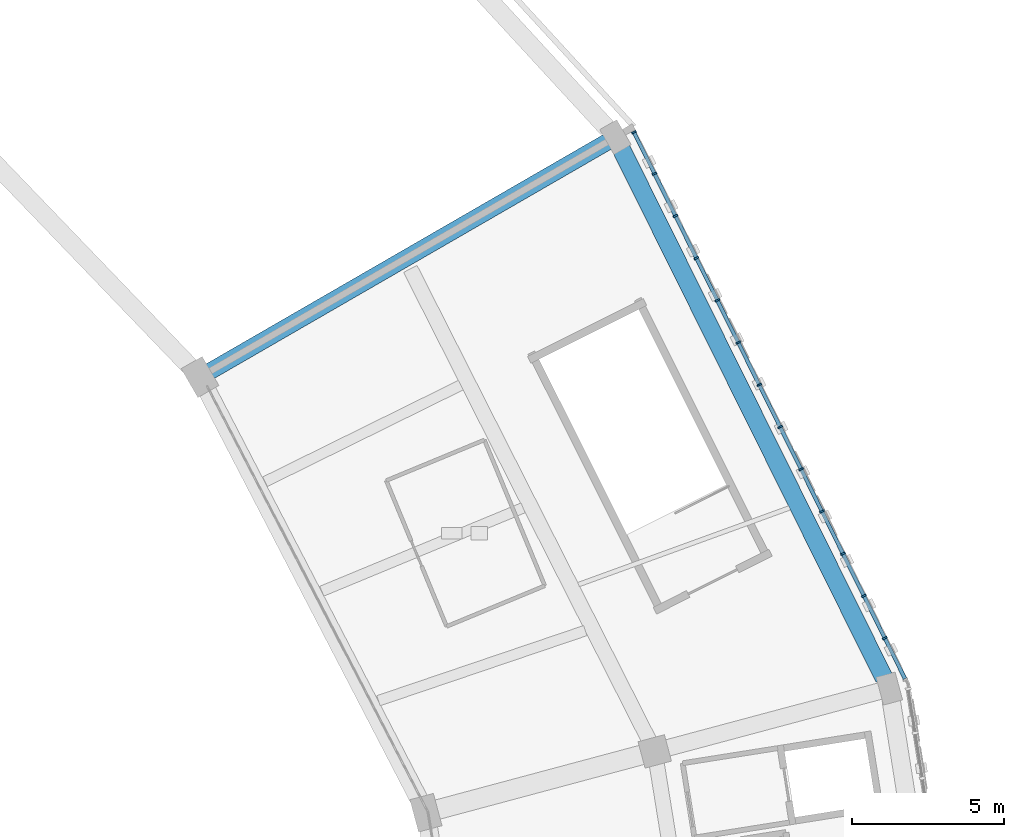
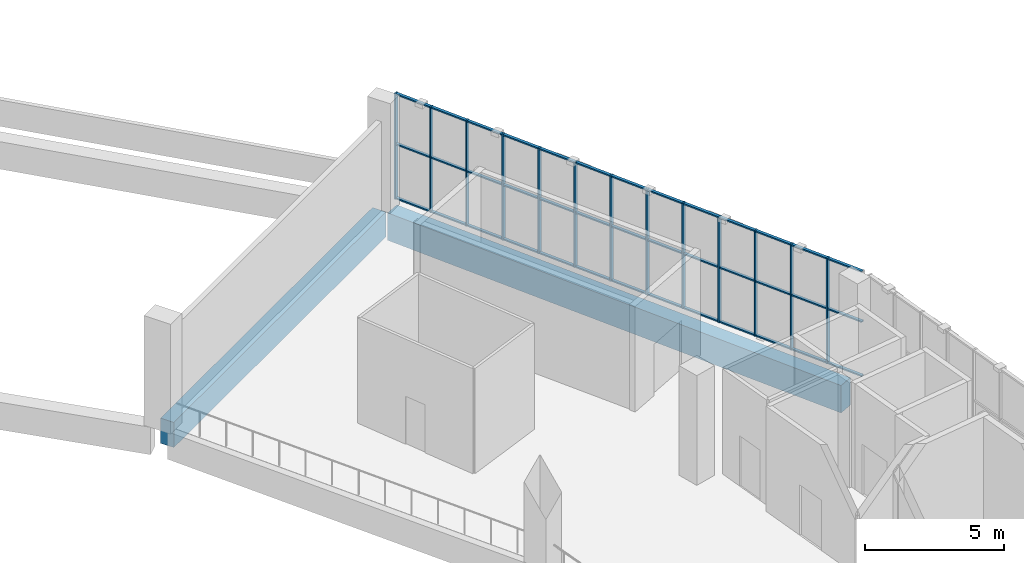
# One storey, part 23 of 64: 52 members, 2 beams, 1 element without a shape of its own.
"""IFC4 building model written with IfcOpenShell, lengths in metres."""

from ifc_helpers import new_model, si_unit, direction, frame, origin, origin_2d, place, context, subcontext, project, spatial, rectangle, extrude, material, material_profile, profile_set, type_object, element, aggregate, save


model = new_model("IFC4")

# Units and contexts
model_context = context("Model", 3, precision=1e-05, world=origin(), true_north=direction((0.0, 1.0)))
body_context = subcontext(model_context, "Body", "Model", "MODEL_VIEW")
ifc_project = project(units=[si_unit("LENGTHUNIT", "METRE"), si_unit("AREAUNIT", "SQUARE_METRE"), si_unit("VOLUMEUNIT", "CUBIC_METRE"), si_unit("PLANEANGLEUNIT", "RADIAN"), si_unit("MASSUNIT", "GRAM", prefix="KILO")], contexts=[model_context])

# Site, building, storey
site_placement = place(None, origin())
site = spatial("IfcSite", under=ifc_project, at=site_placement, CompositionType="ELEMENT")
building_placement = place(site_placement, origin())
building = spatial("IfcBuilding", under=site, at=building_placement, Name="Zevraka Park Crest Stadium", CompositionType="ELEMENT")
storey_placement = place(building_placement, frame((0.0, 0.0, 24.60009765625)))
storey = spatial("IfcBuildingStorey", under=building, at=storey_placement, Name="L05", CompositionType="ELEMENT", Elevation=24.60009765625)

# Beam
ifc_material_1 = material(Name="Concrete C40/50", Category="concrete")
ifc_material_profile_1 = material_profile(ifc_material_1, rectangle(XDim=0.550048828125, YDim=1.10009765625, at=origin_2d()), Name="RC 1100x550")
ifc_profile_set_1 = profile_set([ifc_material_profile_1], Name="Concrete C40/50")
beam_type_1 = type_object("IfcBeamType", Name="BG02", PredefinedType="BEAM", material=ifc_profile_set_1)
beam_1_placement = place(storey_placement, frame((176.779052734375, 121.89990234375, -0.56005859375), z_axis=(0.86601037836, 0.500026023896, 0.0), x_axis=(-0.500026023896, 0.86601037836, 0.0)))
element("IfcBeam", 1, at=beam_1_placement, inside=storey, type_object=beam_type_1, Name="Radial Girder BG02 L05-BD-02", PredefinedType="BEAM", context=body_context, shape_type="SweptSolid", body=[
    extrude(rectangle(XDim=0.550048828125, YDim=1.10009765625, at=origin_2d()), origin(), (0.0, 0.0, 1.0), 15.199462890625),
])

# Curtain wall, members
ifc_material_2 = material(Name="Anodised architectural aluminium and laminated safety glass", Category="aluminium")
curtain_wall_type = type_object("IfcCurtainWallType", Name="CW22", PredefinedType="NOTDEFINED", material=ifc_material_2)
curtain_wall_placement = place(storey_placement, origin())
curtain_wall = element("IfcCurtainWall", 2, at=curtain_wall_placement, inside=storey, type_object=curtain_wall_type, Name="Unitised Ring Curtain Wall CW22 L05-01", PredefinedType="NOTDEFINED")
ifc_material_3 = material(Name="Anodised architectural aluminium", Category="aluminium")
ifc_material_profile_2 = material_profile(ifc_material_3, rectangle(XDim=0.159912109375, YDim=0.06005859375, at=origin_2d()), Name="ALU MULLION 160x60")
ifc_profile_set_2 = profile_set([ifc_material_profile_2], Name="Anodised architectural aluminium")
member_type_1 = type_object("IfcMemberType", Name="CM01", PredefinedType="MULLION", material=ifc_profile_set_2)
member_1_placement = place(storey_placement, frame((199.0751953125, 113.150634765625, 0.0), z_axis=(0.0, 0.0, 1.0), x_axis=(-0.895879320455, -0.444297471499, 0.0)))
member_1 = element("IfcMember", 3, at=member_1_placement, type_object=member_type_1, Name="CW22 mullion 2", PredefinedType="MULLION", context=body_context, shape_type="SweptSolid", body=[
    extrude(rectangle(XDim=0.159912109375, YDim=0.06005859375, at=origin_2d()), origin(), (0.0, 0.0, 1.0), 4.619873046875),
])
member_2_placement = place(storey_placement, frame((198.385498046875, 114.54150390625, 0.0), z_axis=(0.0, 0.0, 1.0), x_axis=(-0.895879320455, -0.444297471499, 0.0)))
member_2 = element("IfcMember", 4, at=member_2_placement, type_object=member_type_1, Name="CW22 mullion 3", PredefinedType="MULLION", context=body_context, shape_type="SweptSolid", body=[
    extrude(rectangle(XDim=0.159912109375, YDim=0.06005859375, at=origin_2d()), origin(), (0.0, 0.0, 1.0), 4.619873046875),
])
member_3_placement = place(storey_placement, frame((197.696044921875, 115.93212890625, 0.0), z_axis=(0.0, 0.0, 1.0), x_axis=(-0.895879320455, -0.444297471499, 0.0)))
member_3 = element("IfcMember", 5, at=member_3_placement, type_object=member_type_1, Name="CW22 mullion 4", PredefinedType="MULLION", context=body_context, shape_type="SweptSolid", body=[
    extrude(rectangle(XDim=0.159912109375, YDim=0.06005859375, at=origin_2d()), origin(), (0.0, 0.0, 1.0), 4.619873046875),
])
member_4_placement = place(storey_placement, frame((197.00634765625, 117.32275390625, 0.0), z_axis=(0.0, 0.0, 1.0), x_axis=(-0.895879320455, -0.444297471499, 0.0)))
member_4 = element("IfcMember", 6, at=member_4_placement, type_object=member_type_1, Name="CW22 mullion 5", PredefinedType="MULLION", context=body_context, shape_type="SweptSolid", body=[
    extrude(rectangle(XDim=0.159912109375, YDim=0.06005859375, at=origin_2d()), origin(), (0.0, 0.0, 1.0), 4.619873046875),
])
member_5_placement = place(storey_placement, frame((196.316650390625, 118.71337890625, 0.0), z_axis=(0.0, 0.0, 1.0), x_axis=(-0.895879320455, -0.444297471499, 0.0)))
member_5 = element("IfcMember", 7, at=member_5_placement, type_object=member_type_1, Name="CW22 mullion 6", PredefinedType="MULLION", context=body_context, shape_type="SweptSolid", body=[
    extrude(rectangle(XDim=0.159912109375, YDim=0.06005859375, at=origin_2d()), origin(), (0.0, 0.0, 1.0), 4.619873046875),
])
member_6_placement = place(storey_placement, frame((195.626953125, 120.104248046875, 0.0), z_axis=(0.0, 0.0, 1.0), x_axis=(-0.895879320455, -0.444297471499, 0.0)))
member_6 = element("IfcMember", 8, at=member_6_placement, type_object=member_type_1, Name="CW22 mullion 7", PredefinedType="MULLION", context=body_context, shape_type="SweptSolid", body=[
    extrude(rectangle(XDim=0.159912109375, YDim=0.06005859375, at=origin_2d()), origin(), (0.0, 0.0, 1.0), 4.619873046875),
])
member_7_placement = place(storey_placement, frame((194.937255859375, 121.494873046875, 0.0), z_axis=(0.0, 0.0, 1.0), x_axis=(-0.895879320455, -0.444297471499, 0.0)))
member_7 = element("IfcMember", 9, at=member_7_placement, type_object=member_type_1, Name="CW22 mullion 8", PredefinedType="MULLION", context=body_context, shape_type="SweptSolid", body=[
    extrude(rectangle(XDim=0.159912109375, YDim=0.06005859375, at=origin_2d()), origin(), (0.0, 0.0, 1.0), 4.619873046875),
])
member_8_placement = place(storey_placement, frame((194.24755859375, 122.885498046875, 0.0), z_axis=(0.0, 0.0, 1.0), x_axis=(-0.895879320455, -0.444297471499, 0.0)))
member_8 = element("IfcMember", 10, at=member_8_placement, type_object=member_type_1, Name="CW22 mullion 9", PredefinedType="MULLION", context=body_context, shape_type="SweptSolid", body=[
    extrude(rectangle(XDim=0.159912109375, YDim=0.06005859375, at=origin_2d()), origin(), (0.0, 0.0, 1.0), 4.619873046875),
])
member_9_placement = place(storey_placement, frame((193.557861328125, 124.276123046875, 0.0), z_axis=(0.0, 0.0, 1.0), x_axis=(-0.895879320455, -0.444297471499, 0.0)))
member_9 = element("IfcMember", 11, at=member_9_placement, type_object=member_type_1, Name="CW22 mullion 10", PredefinedType="MULLION", context=body_context, shape_type="SweptSolid", body=[
    extrude(rectangle(XDim=0.159912109375, YDim=0.06005859375, at=origin_2d()), origin(), (0.0, 0.0, 1.0), 4.619873046875),
])
member_10_placement = place(storey_placement, frame((192.8681640625, 125.6669921875, 0.0), z_axis=(0.0, 0.0, 1.0), x_axis=(-0.895879320455, -0.444297471499, 0.0)))
member_10 = element("IfcMember", 12, at=member_10_placement, type_object=member_type_1, Name="CW22 mullion 11", PredefinedType="MULLION", context=body_context, shape_type="SweptSolid", body=[
    extrude(rectangle(XDim=0.159912109375, YDim=0.06005859375, at=origin_2d()), origin(), (0.0, 0.0, 1.0), 4.619873046875),
])
member_11_placement = place(storey_placement, frame((192.178466796875, 127.0576171875, 0.0), z_axis=(0.0, 0.0, 1.0), x_axis=(-0.895879320455, -0.444297471499, 0.0)))
member_11 = element("IfcMember", 13, at=member_11_placement, type_object=member_type_1, Name="CW22 mullion 12", PredefinedType="MULLION", context=body_context, shape_type="SweptSolid", body=[
    extrude(rectangle(XDim=0.159912109375, YDim=0.06005859375, at=origin_2d()), origin(), (0.0, 0.0, 1.0), 4.619873046875),
])
member_12_placement = place(storey_placement, frame((191.48876953125, 128.4482421875, 0.0), z_axis=(0.0, 0.0, 1.0), x_axis=(-0.895879320455, -0.444297471499, 0.0)))
member_12 = element("IfcMember", 14, at=member_12_placement, type_object=member_type_1, Name="CW22 mullion 13", PredefinedType="MULLION", context=body_context, shape_type="SweptSolid", body=[
    extrude(rectangle(XDim=0.159912109375, YDim=0.06005859375, at=origin_2d()), origin(), (0.0, 0.0, 1.0), 4.619873046875),
])
member_13_placement = place(storey_placement, frame((190.812255859375, 129.81201171875, 0.0), z_axis=(0.0, 0.0, 1.0), x_axis=(-0.895879320455, -0.444297471499, 0.0)))
member_13 = element("IfcMember", 15, at=member_13_placement, type_object=member_type_1, Name="CW22 mullion 14", PredefinedType="MULLION", context=body_context, shape_type="SweptSolid", body=[
    extrude(rectangle(XDim=0.159912109375, YDim=0.06005859375, at=origin_2d()), origin(), (0.0, 0.0, 1.0), 4.619873046875),
])
ifc_material_4 = material(Name="Anodised architectural aluminium", Category="aluminium")
ifc_material_profile_3 = material_profile(ifc_material_4, rectangle(XDim=0.1201171875, YDim=0.06005859375, at=origin_2d()), Name="ALU TRANSOM 120x60")
ifc_profile_set_3 = profile_set([ifc_material_profile_3], Name="Anodised architectural aluminium")
member_type_2 = type_object("IfcMemberType", Name="CT01", PredefinedType="USERDEFINED", material=ifc_profile_set_3)
member_14_placement = place(storey_placement, frame((199.73828125, 111.813720703125, 0.02978515625), z_axis=(-0.444272737826, 0.895891586312, 0.0), x_axis=(-0.895891586312, -0.444272737826, 0.0)))
member_14 = element("IfcMember", 16, at=member_14_placement, type_object=member_type_2, Name="CW22 transom 1.1", ObjectType="TRANSOM", PredefinedType="USERDEFINED", context=body_context, shape_type="SweptSolid", body=[
    extrude(rectangle(XDim=0.1201171875, YDim=0.06005859375, at=origin_2d()), origin(), (0.0, 0.0, 1.0), 1.46240234375),
])
member_15_placement = place(storey_placement, frame((199.73828125, 111.813720703125, 2.39990234375), z_axis=(-0.444272737826, 0.895891586312, 0.0), x_axis=(-0.895891586312, -0.444272737826, 0.0)))
member_15 = element("IfcMember", 17, at=member_15_placement, type_object=member_type_2, Name="CW22 transom 1.2", ObjectType="TRANSOM", PredefinedType="USERDEFINED", context=body_context, shape_type="SweptSolid", body=[
    extrude(rectangle(XDim=0.1201171875, YDim=0.06005859375, at=origin_2d()), origin(), (0.0, 0.0, 1.0), 1.46240234375),
])
member_16_placement = place(storey_placement, frame((199.73828125, 111.813720703125, 4.58984375), z_axis=(-0.444272737826, 0.895891586312, 0.0), x_axis=(-0.895891586312, -0.444272737826, 0.0)))
member_16 = element("IfcMember", 18, at=member_16_placement, type_object=member_type_2, Name="CW22 transom 1.3", ObjectType="TRANSOM", PredefinedType="USERDEFINED", context=body_context, shape_type="SweptSolid", body=[
    extrude(rectangle(XDim=0.1201171875, YDim=0.06005859375, at=origin_2d()), origin(), (0.0, 0.0, 1.0), 1.46240234375),
])
member_17_placement = place(storey_placement, frame((199.06201171875, 113.177490234375, 0.02978515625), z_axis=(-0.444331954809, 0.895862218165, 0.0), x_axis=(-0.895862218165, -0.444331954809, 0.0)))
member_17 = element("IfcMember", 19, at=member_17_placement, type_object=member_type_2, Name="CW22 transom 2.1", ObjectType="TRANSOM", PredefinedType="USERDEFINED", context=body_context, shape_type="SweptSolid", body=[
    extrude(rectangle(XDim=0.1201171875, YDim=0.06005859375, at=origin_2d()), origin(), (0.0, 0.0, 1.0), 1.492431640625),
])
member_18_placement = place(storey_placement, frame((199.06201171875, 113.177490234375, 2.39990234375), z_axis=(-0.444331954809, 0.895862218165, 0.0), x_axis=(-0.895862218165, -0.444331954809, 0.0)))
member_18 = element("IfcMember", 20, at=member_18_placement, type_object=member_type_2, Name="CW22 transom 2.2", ObjectType="TRANSOM", PredefinedType="USERDEFINED", context=body_context, shape_type="SweptSolid", body=[
    extrude(rectangle(XDim=0.1201171875, YDim=0.06005859375, at=origin_2d()), origin(), (0.0, 0.0, 1.0), 1.492431640625),
])
member_19_placement = place(storey_placement, frame((199.06201171875, 113.177490234375, 4.58984375), z_axis=(-0.444331954809, 0.895862218165, 0.0), x_axis=(-0.895862218165, -0.444331954809, 0.0)))
member_19 = element("IfcMember", 21, at=member_19_placement, type_object=member_type_2, Name="CW22 transom 2.3", ObjectType="TRANSOM", PredefinedType="USERDEFINED", context=body_context, shape_type="SweptSolid", body=[
    extrude(rectangle(XDim=0.1201171875, YDim=0.06005859375, at=origin_2d()), origin(), (0.0, 0.0, 1.0), 1.492431640625),
])
member_20_placement = place(storey_placement, frame((198.372314453125, 114.568359375, 0.02978515625), z_axis=(-0.444331954809, 0.895862218165, 0.0), x_axis=(-0.895862218165, -0.444331954809, 0.0)))
member_20 = element("IfcMember", 22, at=member_20_placement, type_object=member_type_2, Name="CW22 transom 3.1", ObjectType="TRANSOM", PredefinedType="USERDEFINED", context=body_context, shape_type="SweptSolid", body=[
    extrude(rectangle(XDim=0.1201171875, YDim=0.06005859375, at=origin_2d()), origin(), (0.0, 0.0, 1.0), 1.492431640625),
])
member_21_placement = place(storey_placement, frame((198.372314453125, 114.568359375, 2.39990234375), z_axis=(-0.444331954809, 0.895862218165, 0.0), x_axis=(-0.895862218165, -0.444331954809, 0.0)))
member_21 = element("IfcMember", 23, at=member_21_placement, type_object=member_type_2, Name="CW22 transom 3.2", ObjectType="TRANSOM", PredefinedType="USERDEFINED", context=body_context, shape_type="SweptSolid", body=[
    extrude(rectangle(XDim=0.1201171875, YDim=0.06005859375, at=origin_2d()), origin(), (0.0, 0.0, 1.0), 1.492431640625),
])
member_22_placement = place(storey_placement, frame((198.372314453125, 114.568359375, 4.58984375), z_axis=(-0.444331954809, 0.895862218165, 0.0), x_axis=(-0.895862218165, -0.444331954809, 0.0)))
member_22 = element("IfcMember", 24, at=member_22_placement, type_object=member_type_2, Name="CW22 transom 3.3", ObjectType="TRANSOM", PredefinedType="USERDEFINED", context=body_context, shape_type="SweptSolid", body=[
    extrude(rectangle(XDim=0.1201171875, YDim=0.06005859375, at=origin_2d()), origin(), (0.0, 0.0, 1.0), 1.492431640625),
])
member_23_placement = place(storey_placement, frame((197.6826171875, 115.958984375, 0.02978515625), z_axis=(-0.444331954809, 0.895862218165, 0.0), x_axis=(-0.895862218165, -0.444331954809, 0.0)))
member_23 = element("IfcMember", 25, at=member_23_placement, type_object=member_type_2, Name="CW22 transom 4.1", ObjectType="TRANSOM", PredefinedType="USERDEFINED", context=body_context, shape_type="SweptSolid", body=[
    extrude(rectangle(XDim=0.1201171875, YDim=0.06005859375, at=origin_2d()), origin(), (0.0, 0.0, 1.0), 1.492431640625),
])
member_24_placement = place(storey_placement, frame((197.6826171875, 115.958984375, 2.39990234375), z_axis=(-0.444331954809, 0.895862218165, 0.0), x_axis=(-0.895862218165, -0.444331954809, 0.0)))
member_24 = element("IfcMember", 26, at=member_24_placement, type_object=member_type_2, Name="CW22 transom 4.2", ObjectType="TRANSOM", PredefinedType="USERDEFINED", context=body_context, shape_type="SweptSolid", body=[
    extrude(rectangle(XDim=0.1201171875, YDim=0.06005859375, at=origin_2d()), origin(), (0.0, 0.0, 1.0), 1.492431640625),
])
member_25_placement = place(storey_placement, frame((197.6826171875, 115.958984375, 4.58984375), z_axis=(-0.444331954809, 0.895862218165, 0.0), x_axis=(-0.895862218165, -0.444331954809, 0.0)))
member_25 = element("IfcMember", 27, at=member_25_placement, type_object=member_type_2, Name="CW22 transom 4.3", ObjectType="TRANSOM", PredefinedType="USERDEFINED", context=body_context, shape_type="SweptSolid", body=[
    extrude(rectangle(XDim=0.1201171875, YDim=0.06005859375, at=origin_2d()), origin(), (0.0, 0.0, 1.0), 1.492431640625),
])
member_26_placement = place(storey_placement, frame((196.992919921875, 117.349609375, 0.02978515625), z_axis=(-0.444331954809, 0.895862218165, 0.0), x_axis=(-0.895862218165, -0.444331954809, 0.0)))
member_26 = element("IfcMember", 28, at=member_26_placement, type_object=member_type_2, Name="CW22 transom 5.1", ObjectType="TRANSOM", PredefinedType="USERDEFINED", context=body_context, shape_type="SweptSolid", body=[
    extrude(rectangle(XDim=0.1201171875, YDim=0.06005859375, at=origin_2d()), origin(), (0.0, 0.0, 1.0), 1.492431640625),
])
member_27_placement = place(storey_placement, frame((196.992919921875, 117.349609375, 2.39990234375), z_axis=(-0.444331954809, 0.895862218165, 0.0), x_axis=(-0.895862218165, -0.444331954809, 0.0)))
member_27 = element("IfcMember", 29, at=member_27_placement, type_object=member_type_2, Name="CW22 transom 5.2", ObjectType="TRANSOM", PredefinedType="USERDEFINED", context=body_context, shape_type="SweptSolid", body=[
    extrude(rectangle(XDim=0.1201171875, YDim=0.06005859375, at=origin_2d()), origin(), (0.0, 0.0, 1.0), 1.492431640625),
])
member_28_placement = place(storey_placement, frame((196.992919921875, 117.349609375, 4.58984375), z_axis=(-0.444331954809, 0.895862218165, 0.0), x_axis=(-0.895862218165, -0.444331954809, 0.0)))
member_28 = element("IfcMember", 30, at=member_28_placement, type_object=member_type_2, Name="CW22 transom 5.3", ObjectType="TRANSOM", PredefinedType="USERDEFINED", context=body_context, shape_type="SweptSolid", body=[
    extrude(rectangle(XDim=0.1201171875, YDim=0.06005859375, at=origin_2d()), origin(), (0.0, 0.0, 1.0), 1.492431640625),
])
member_29_placement = place(storey_placement, frame((196.30322265625, 118.740234375, 0.02978515625), z_axis=(-0.444266841356, 0.895894510348, 0.0), x_axis=(-0.895894510348, -0.444266841356, 0.0)))
member_29 = element("IfcMember", 31, at=member_29_placement, type_object=member_type_2, Name="CW22 transom 6.1", ObjectType="TRANSOM", PredefinedType="USERDEFINED", context=body_context, shape_type="SweptSolid", body=[
    extrude(rectangle(XDim=0.1201171875, YDim=0.06005859375, at=origin_2d()), origin(), (0.0, 0.0, 1.0), 1.492431640625),
])
member_30_placement = place(storey_placement, frame((196.30322265625, 118.740234375, 2.39990234375), z_axis=(-0.444266841356, 0.895894510348, 0.0), x_axis=(-0.895894510348, -0.444266841356, 0.0)))
member_30 = element("IfcMember", 32, at=member_30_placement, type_object=member_type_2, Name="CW22 transom 6.2", ObjectType="TRANSOM", PredefinedType="USERDEFINED", context=body_context, shape_type="SweptSolid", body=[
    extrude(rectangle(XDim=0.1201171875, YDim=0.06005859375, at=origin_2d()), origin(), (0.0, 0.0, 1.0), 1.492431640625),
])
member_31_placement = place(storey_placement, frame((196.30322265625, 118.740234375, 4.58984375), z_axis=(-0.444266841356, 0.895894510348, 0.0), x_axis=(-0.895894510348, -0.444266841356, 0.0)))
member_31 = element("IfcMember", 33, at=member_31_placement, type_object=member_type_2, Name="CW22 transom 6.3", ObjectType="TRANSOM", PredefinedType="USERDEFINED", context=body_context, shape_type="SweptSolid", body=[
    extrude(rectangle(XDim=0.1201171875, YDim=0.06005859375, at=origin_2d()), origin(), (0.0, 0.0, 1.0), 1.492431640625),
])
member_32_placement = place(storey_placement, frame((195.613525390625, 120.131103515625, 0.02978515625), z_axis=(-0.444331954809, 0.895862218165, 0.0), x_axis=(-0.895862218165, -0.444331954809, 0.0)))
member_32 = element("IfcMember", 34, at=member_32_placement, type_object=member_type_2, Name="CW22 transom 7.1", ObjectType="TRANSOM", PredefinedType="USERDEFINED", context=body_context, shape_type="SweptSolid", body=[
    extrude(rectangle(XDim=0.1201171875, YDim=0.06005859375, at=origin_2d()), origin(), (0.0, 0.0, 1.0), 1.492431640625),
])
member_33_placement = place(storey_placement, frame((195.613525390625, 120.131103515625, 2.39990234375), z_axis=(-0.444331954809, 0.895862218165, 0.0), x_axis=(-0.895862218165, -0.444331954809, 0.0)))
member_33 = element("IfcMember", 35, at=member_33_placement, type_object=member_type_2, Name="CW22 transom 7.2", ObjectType="TRANSOM", PredefinedType="USERDEFINED", context=body_context, shape_type="SweptSolid", body=[
    extrude(rectangle(XDim=0.1201171875, YDim=0.06005859375, at=origin_2d()), origin(), (0.0, 0.0, 1.0), 1.492431640625),
])
member_34_placement = place(storey_placement, frame((195.613525390625, 120.131103515625, 4.58984375), z_axis=(-0.444331954809, 0.895862218165, 0.0), x_axis=(-0.895862218165, -0.444331954809, 0.0)))
member_34 = element("IfcMember", 36, at=member_34_placement, type_object=member_type_2, Name="CW22 transom 7.3", ObjectType="TRANSOM", PredefinedType="USERDEFINED", context=body_context, shape_type="SweptSolid", body=[
    extrude(rectangle(XDim=0.1201171875, YDim=0.06005859375, at=origin_2d()), origin(), (0.0, 0.0, 1.0), 1.492431640625),
])
member_35_placement = place(storey_placement, frame((194.923828125, 121.521728515625, 0.02978515625), z_axis=(-0.444331954809, 0.895862218165, 0.0), x_axis=(-0.895862218165, -0.444331954809, 0.0)))
member_35 = element("IfcMember", 37, at=member_35_placement, type_object=member_type_2, Name="CW22 transom 8.1", ObjectType="TRANSOM", PredefinedType="USERDEFINED", context=body_context, shape_type="SweptSolid", body=[
    extrude(rectangle(XDim=0.1201171875, YDim=0.06005859375, at=origin_2d()), origin(), (0.0, 0.0, 1.0), 1.492431640625),
])
member_36_placement = place(storey_placement, frame((194.923828125, 121.521728515625, 2.39990234375), z_axis=(-0.444331954809, 0.895862218165, 0.0), x_axis=(-0.895862218165, -0.444331954809, 0.0)))
member_36 = element("IfcMember", 38, at=member_36_placement, type_object=member_type_2, Name="CW22 transom 8.2", ObjectType="TRANSOM", PredefinedType="USERDEFINED", context=body_context, shape_type="SweptSolid", body=[
    extrude(rectangle(XDim=0.1201171875, YDim=0.06005859375, at=origin_2d()), origin(), (0.0, 0.0, 1.0), 1.492431640625),
])
member_37_placement = place(storey_placement, frame((194.923828125, 121.521728515625, 4.58984375), z_axis=(-0.444331954809, 0.895862218165, 0.0), x_axis=(-0.895862218165, -0.444331954809, 0.0)))
member_37 = element("IfcMember", 39, at=member_37_placement, type_object=member_type_2, Name="CW22 transom 8.3", ObjectType="TRANSOM", PredefinedType="USERDEFINED", context=body_context, shape_type="SweptSolid", body=[
    extrude(rectangle(XDim=0.1201171875, YDim=0.06005859375, at=origin_2d()), origin(), (0.0, 0.0, 1.0), 1.492431640625),
])
member_38_placement = place(storey_placement, frame((194.234130859375, 122.912353515625, 0.02978515625), z_axis=(-0.444331954809, 0.895862218165, 0.0), x_axis=(-0.895862218165, -0.444331954809, 0.0)))
member_38 = element("IfcMember", 40, at=member_38_placement, type_object=member_type_2, Name="CW22 transom 9.1", ObjectType="TRANSOM", PredefinedType="USERDEFINED", context=body_context, shape_type="SweptSolid", body=[
    extrude(rectangle(XDim=0.1201171875, YDim=0.06005859375, at=origin_2d()), origin(), (0.0, 0.0, 1.0), 1.492431640625),
])
member_39_placement = place(storey_placement, frame((194.234130859375, 122.912353515625, 2.39990234375), z_axis=(-0.444331954809, 0.895862218165, 0.0), x_axis=(-0.895862218165, -0.444331954809, 0.0)))
member_39 = element("IfcMember", 41, at=member_39_placement, type_object=member_type_2, Name="CW22 transom 9.2", ObjectType="TRANSOM", PredefinedType="USERDEFINED", context=body_context, shape_type="SweptSolid", body=[
    extrude(rectangle(XDim=0.1201171875, YDim=0.06005859375, at=origin_2d()), origin(), (0.0, 0.0, 1.0), 1.492431640625),
])
member_40_placement = place(storey_placement, frame((194.234130859375, 122.912353515625, 4.58984375), z_axis=(-0.444331954809, 0.895862218165, 0.0), x_axis=(-0.895862218165, -0.444331954809, 0.0)))
member_40 = element("IfcMember", 42, at=member_40_placement, type_object=member_type_2, Name="CW22 transom 9.3", ObjectType="TRANSOM", PredefinedType="USERDEFINED", context=body_context, shape_type="SweptSolid", body=[
    extrude(rectangle(XDim=0.1201171875, YDim=0.06005859375, at=origin_2d()), origin(), (0.0, 0.0, 1.0), 1.492431640625),
])
member_41_placement = place(storey_placement, frame((193.54443359375, 124.30322265625, 0.02978515625), z_axis=(-0.444331954809, 0.895862218165, 0.0), x_axis=(-0.895862218165, -0.444331954809, 0.0)))
member_41 = element("IfcMember", 43, at=member_41_placement, type_object=member_type_2, Name="CW22 transom 10.1", ObjectType="TRANSOM", PredefinedType="USERDEFINED", context=body_context, shape_type="SweptSolid", body=[
    extrude(rectangle(XDim=0.1201171875, YDim=0.06005859375, at=origin_2d()), origin(), (0.0, 0.0, 1.0), 1.492431640625),
])
member_42_placement = place(storey_placement, frame((193.54443359375, 124.30322265625, 2.39990234375), z_axis=(-0.444331954809, 0.895862218165, 0.0), x_axis=(-0.895862218165, -0.444331954809, 0.0)))
member_42 = element("IfcMember", 44, at=member_42_placement, type_object=member_type_2, Name="CW22 transom 10.2", ObjectType="TRANSOM", PredefinedType="USERDEFINED", context=body_context, shape_type="SweptSolid", body=[
    extrude(rectangle(XDim=0.1201171875, YDim=0.06005859375, at=origin_2d()), origin(), (0.0, 0.0, 1.0), 1.492431640625),
])
member_43_placement = place(storey_placement, frame((193.54443359375, 124.30322265625, 4.58984375), z_axis=(-0.444331954809, 0.895862218165, 0.0), x_axis=(-0.895862218165, -0.444331954809, 0.0)))
member_43 = element("IfcMember", 45, at=member_43_placement, type_object=member_type_2, Name="CW22 transom 10.3", ObjectType="TRANSOM", PredefinedType="USERDEFINED", context=body_context, shape_type="SweptSolid", body=[
    extrude(rectangle(XDim=0.1201171875, YDim=0.06005859375, at=origin_2d()), origin(), (0.0, 0.0, 1.0), 1.492431640625),
])
member_44_placement = place(storey_placement, frame((192.854736328125, 125.69384765625, 0.02978515625), z_axis=(-0.444331954809, 0.895862218165, 0.0), x_axis=(-0.895862218165, -0.444331954809, 0.0)))
member_44 = element("IfcMember", 46, at=member_44_placement, type_object=member_type_2, Name="CW22 transom 11.1", ObjectType="TRANSOM", PredefinedType="USERDEFINED", context=body_context, shape_type="SweptSolid", body=[
    extrude(rectangle(XDim=0.1201171875, YDim=0.06005859375, at=origin_2d()), origin(), (0.0, 0.0, 1.0), 1.492431640625),
])
member_45_placement = place(storey_placement, frame((192.854736328125, 125.69384765625, 2.39990234375), z_axis=(-0.444331954809, 0.895862218165, 0.0), x_axis=(-0.895862218165, -0.444331954809, 0.0)))
member_45 = element("IfcMember", 47, at=member_45_placement, type_object=member_type_2, Name="CW22 transom 11.2", ObjectType="TRANSOM", PredefinedType="USERDEFINED", context=body_context, shape_type="SweptSolid", body=[
    extrude(rectangle(XDim=0.1201171875, YDim=0.06005859375, at=origin_2d()), origin(), (0.0, 0.0, 1.0), 1.492431640625),
])
member_46_placement = place(storey_placement, frame((192.854736328125, 125.69384765625, 4.58984375), z_axis=(-0.444331954809, 0.895862218165, 0.0), x_axis=(-0.895862218165, -0.444331954809, 0.0)))
member_46 = element("IfcMember", 48, at=member_46_placement, type_object=member_type_2, Name="CW22 transom 11.3", ObjectType="TRANSOM", PredefinedType="USERDEFINED", context=body_context, shape_type="SweptSolid", body=[
    extrude(rectangle(XDim=0.1201171875, YDim=0.06005859375, at=origin_2d()), origin(), (0.0, 0.0, 1.0), 1.492431640625),
])
member_47_placement = place(storey_placement, frame((192.1650390625, 127.08447265625, 0.02978515625), z_axis=(-0.444331954809, 0.895862218165, 0.0), x_axis=(-0.895862218165, -0.444331954809, 0.0)))
member_47 = element("IfcMember", 49, at=member_47_placement, type_object=member_type_2, Name="CW22 transom 12.1", ObjectType="TRANSOM", PredefinedType="USERDEFINED", context=body_context, shape_type="SweptSolid", body=[
    extrude(rectangle(XDim=0.1201171875, YDim=0.06005859375, at=origin_2d()), origin(), (0.0, 0.0, 1.0), 1.492431640625),
])
member_48_placement = place(storey_placement, frame((192.1650390625, 127.08447265625, 2.39990234375), z_axis=(-0.444331954809, 0.895862218165, 0.0), x_axis=(-0.895862218165, -0.444331954809, 0.0)))
member_48 = element("IfcMember", 50, at=member_48_placement, type_object=member_type_2, Name="CW22 transom 12.2", ObjectType="TRANSOM", PredefinedType="USERDEFINED", context=body_context, shape_type="SweptSolid", body=[
    extrude(rectangle(XDim=0.1201171875, YDim=0.06005859375, at=origin_2d()), origin(), (0.0, 0.0, 1.0), 1.492431640625),
])
member_49_placement = place(storey_placement, frame((192.1650390625, 127.08447265625, 4.58984375), z_axis=(-0.444331954809, 0.895862218165, 0.0), x_axis=(-0.895862218165, -0.444331954809, 0.0)))
member_49 = element("IfcMember", 51, at=member_49_placement, type_object=member_type_2, Name="CW22 transom 12.3", ObjectType="TRANSOM", PredefinedType="USERDEFINED", context=body_context, shape_type="SweptSolid", body=[
    extrude(rectangle(XDim=0.1201171875, YDim=0.06005859375, at=origin_2d()), origin(), (0.0, 0.0, 1.0), 1.492431640625),
])
member_50_placement = place(storey_placement, frame((191.475341796875, 128.47509765625, 0.02978515625), z_axis=(-0.444272737826, 0.895891586312, 0.0), x_axis=(-0.895891586312, -0.444272737826, 0.0)))
member_50 = element("IfcMember", 52, at=member_50_placement, type_object=member_type_2, Name="CW22 transom 13.1", ObjectType="TRANSOM", PredefinedType="USERDEFINED", context=body_context, shape_type="SweptSolid", body=[
    extrude(rectangle(XDim=0.1201171875, YDim=0.06005859375, at=origin_2d()), origin(), (0.0, 0.0, 1.0), 1.46240234375),
])
member_51_placement = place(storey_placement, frame((191.475341796875, 128.47509765625, 2.39990234375), z_axis=(-0.444272737826, 0.895891586312, 0.0), x_axis=(-0.895891586312, -0.444272737826, 0.0)))
member_51 = element("IfcMember", 53, at=member_51_placement, type_object=member_type_2, Name="CW22 transom 13.2", ObjectType="TRANSOM", PredefinedType="USERDEFINED", context=body_context, shape_type="SweptSolid", body=[
    extrude(rectangle(XDim=0.1201171875, YDim=0.06005859375, at=origin_2d()), origin(), (0.0, 0.0, 1.0), 1.46240234375),
])
member_52_placement = place(storey_placement, frame((191.475341796875, 128.47509765625, 4.58984375), z_axis=(-0.444272737826, 0.895891586312, 0.0), x_axis=(-0.895891586312, -0.444272737826, 0.0)))
member_52 = element("IfcMember", 54, at=member_52_placement, type_object=member_type_2, Name="CW22 transom 13.3", ObjectType="TRANSOM", PredefinedType="USERDEFINED", context=body_context, shape_type="SweptSolid", body=[
    extrude(rectangle(XDim=0.1201171875, YDim=0.06005859375, at=origin_2d()), origin(), (0.0, 0.0, 1.0), 1.46240234375),
])
aggregate(curtain_wall, [member_1, member_2, member_3, member_4, member_5, member_6, member_7, member_8, member_9, member_10, member_11, member_12, member_13, member_14, member_15, member_16, member_17, member_18, member_19, member_20, member_21, member_22, member_23, member_24, member_25, member_26, member_27, member_28, member_29, member_30, member_31, member_32, member_33, member_34, member_35, member_36, member_37, member_38, member_39, member_40, member_41, member_42, member_43, member_44, member_45, member_46, member_47, member_48, member_49, member_50, member_51, member_52])

# Beam
ifc_material_5 = material(Name="Concrete C40/50", Category="concrete")
ifc_material_profile_4 = material_profile(ifc_material_5, rectangle(XDim=0.60009765625, YDim=1.199951171875, at=origin_2d()), Name="RC 1200x600")
ifc_profile_set_4 = profile_set([ifc_material_profile_4], Name="Concrete C40/50")
beam_type_2 = type_object("IfcBeamType", Name="RB01", PredefinedType="BEAM", material=ifc_profile_set_4)
beam_2_placement = place(storey_placement, frame((199.053955078125, 111.8291015625, -0.610107421875), z_axis=(-0.444850507814, 0.895604837916, 0.0), x_axis=(-0.895604837916, -0.444850507814, 0.0)))
element("IfcBeam", 55, at=beam_2_placement, inside=storey, type_object=beam_type_2, Name="Ring Beam RB01 L05-D-01", PredefinedType="BEAM", context=body_context, shape_type="SweptSolid", body=[
    extrude(rectangle(XDim=0.60009765625, YDim=1.199951171875, at=origin_2d()), origin(), (0.0, 0.0, 1.0), 19.5185546875),
])

save(model, "model.ifc")
